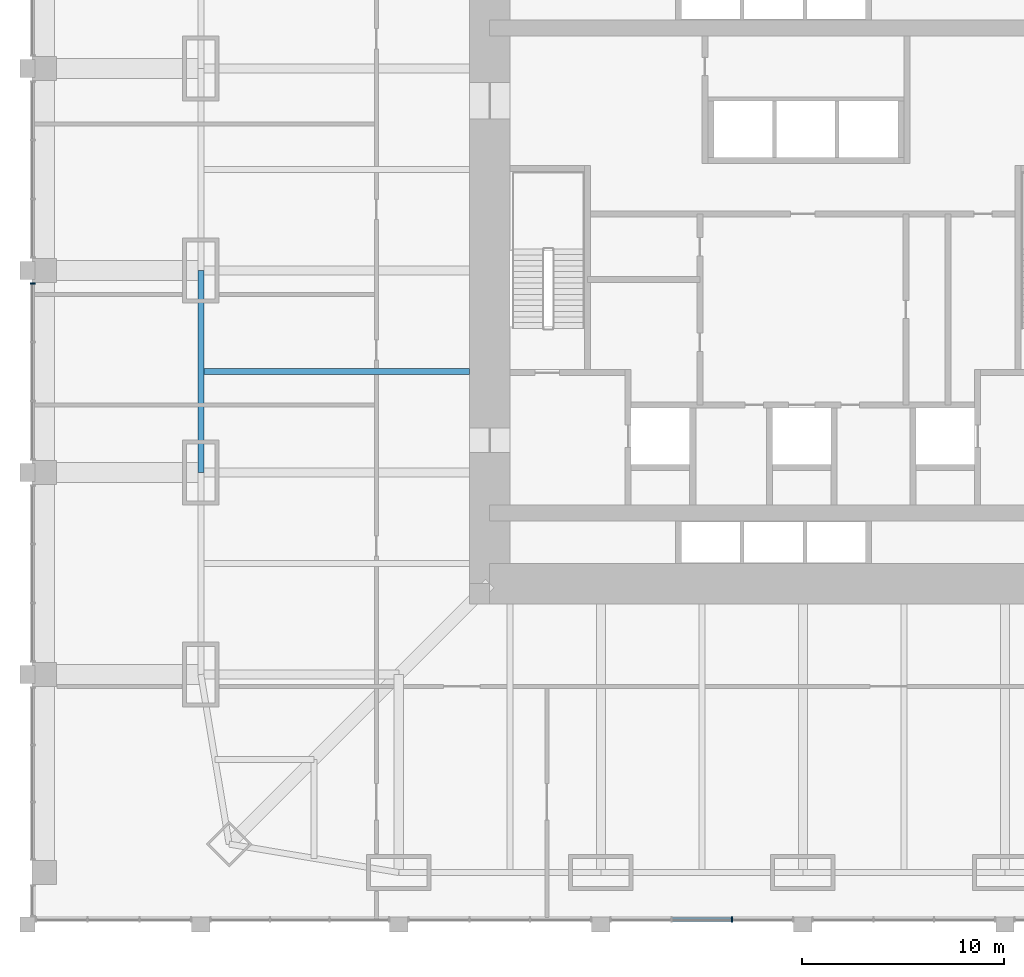
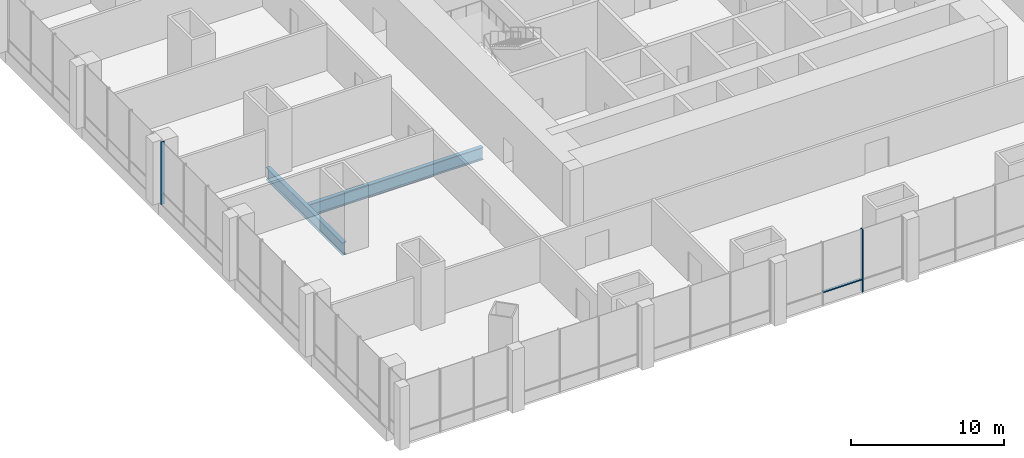
# One storey, part 3 of 24: 3 members, 2 beams, 2 elements without a shape of their own.
"""IFC4 building model written with IfcOpenShell, lengths in metres."""

from ifc_helpers import new_model, si_unit, direction, frame, origin, origin_2d, place, context, subcontext, project, spatial, rectangle, i_section, extrude, material, material_profile, profile_set, type_object, element, aggregate, save


model = new_model("IFC4")

# Units and contexts
model_context = context("Model", 3, precision=1e-05, world=origin(), true_north=direction((0.0, 1.0)))
body_context = subcontext(model_context, "Body", "Model", "MODEL_VIEW")
ifc_project = project(units=[si_unit("LENGTHUNIT", "METRE"), si_unit("AREAUNIT", "SQUARE_METRE"), si_unit("VOLUMEUNIT", "CUBIC_METRE"), si_unit("PLANEANGLEUNIT", "RADIAN"), si_unit("MASSUNIT", "GRAM", prefix="KILO")], contexts=[model_context])

# Site, building, storey
site_placement = place(None, origin())
site = spatial("IfcSite", under=ifc_project, at=site_placement, CompositionType="ELEMENT")
building_placement = place(site_placement, origin())
building = spatial("IfcBuilding", under=site, at=building_placement, Name="Khuree Lantern Residences", CompositionType="ELEMENT")
storey_placement = place(building_placement, frame((0.0, 0.0, 11.0)))
storey = spatial("IfcBuildingStorey", under=building, at=storey_placement, Name="L02", CompositionType="ELEMENT", Elevation=11.0)

# Beams
ifc_material_1 = material(Name="Steel S355", Category="steel")
ifc_material_profile_1 = material_profile(ifc_material_1, i_section(OverallWidth=0.300048828125, OverallDepth=1.0, WebThickness=0.01904296875, FlangeThickness=0.035888671875, FilletRadius=0.030029296875, at=origin_2d()), Name="HE 1000 B")
ifc_profile_set_1 = profile_set([ifc_material_profile_1], Name="Steel S355")
beam_type_1 = type_object("IfcBeamType", Name="B-02 SECONDARY BEAM HE 1000 B", PredefinedType="BEAM", material=ifc_profile_set_1)
beam_1_placement = place(storey_placement, frame((-29.800048828125, -5.0, -0.800048828125), z_axis=(1.0, 0.0, 0.0), x_axis=(0.0, 1.0, 0.0)))
element("IfcBeam", 1, at=beam_1_placement, inside=storey, type_object=beam_type_1, Name="Secondary beam W3", PredefinedType="BEAM", context=body_context, shape_type="SweptSolid", body=[
    extrude(i_section(OverallWidth=0.300048828125, OverallDepth=1.0, WebThickness=0.01904296875, FlangeThickness=0.035888671875, FilletRadius=0.030029296875, at=origin_2d()), origin(), (0.0, 0.0, 1.0), 13.300048828125),
])
ifc_material_profile_2 = material_profile(ifc_material_1, i_section(OverallWidth=0.300048828125, OverallDepth=1.0, WebThickness=0.01904296875, FlangeThickness=0.035888671875, FilletRadius=0.030029296875, at=origin_2d()), Name="HE 1000 B")
ifc_profile_set_2 = profile_set([ifc_material_profile_2], Name="Steel S355")
beam_type_2 = type_object("IfcBeamType", Name="E-02 SPANDREL BEAM HE 1000 B", PredefinedType="SPANDREL", material=ifc_profile_set_2)
beam_2_placement = place(storey_placement, frame((-29.800048828125, -10.0, -0.800048828125), z_axis=(0.0, 1.0, 0.0), x_axis=(-1.0, 0.0, 0.0)))
element("IfcBeam", 2, at=beam_2_placement, inside=storey, type_object=beam_type_2, Name="Spandrel beam W3", PredefinedType="SPANDREL", context=body_context, shape_type="SweptSolid", body=[
    extrude(i_section(OverallWidth=0.300048828125, OverallDepth=1.0, WebThickness=0.01904296875, FlangeThickness=0.035888671875, FilletRadius=0.030029296875, at=origin_2d()), origin(), (0.0, 0.0, 1.0), 10.0),
])

# Curtain wall, member
ifc_material_2 = material(Name="Bronze anodised aluminium", Category="aluminium")
curtain_wall_type = type_object("IfcCurtainWallType", Name="CW-P PODIUM STOREFRONT CURTAIN WALL", PredefinedType="USERDEFINED", material=ifc_material_2)
curtain_wall_1_placement = place(storey_placement, origin())
curtain_wall_1 = element("IfcCurtainWall", 3, at=curtain_wall_1_placement, inside=storey, type_object=curtain_wall_type, Name="L02 SOUTH FACE BAY 4 STOREFRONT", ObjectType="Storefront curtain wall", PredefinedType="USERDEFINED")
ifc_material_profile_3 = material_profile(ifc_material_2, rectangle(XDim=0.074951171875, YDim=0.25, at=origin_2d()), Name="M5 75X250")
ifc_profile_set_3 = profile_set([ifc_material_profile_3], Name="Bronze anodised aluminium")
member_type_1 = type_object("IfcMemberType", Name="MULLION M5 STOREFRONT 75X250", PredefinedType="MULLION", material=ifc_profile_set_3)
member_1_placement = place(storey_placement, frame((-3.495849609375, -32.125, 0.0), z_axis=(0.0, 0.0, 1.0), x_axis=(1.0, 0.0, 0.0)))
member_1 = element("IfcMember", 4, at=member_1_placement, type_object=member_type_1, Name="L02 SOUTH FACE BAY 4 MULLION 3", PredefinedType="MULLION", context=body_context, shape_type="SweptSolid", body=[
    extrude(rectangle(XDim=0.074951171875, YDim=0.25, at=origin_2d()), origin(), (0.0, 0.0, 1.0), 5.0),
])

curtain_wall_2_placement = place(storey_placement, origin())
curtain_wall_2 = element("IfcCurtainWall", 5, at=curtain_wall_2_placement, inside=storey, type_object=curtain_wall_type, Name="L02 WEST FACE BAY 6 STOREFRONT", ObjectType="Storefront curtain wall", PredefinedType="USERDEFINED")
member_2_placement = place(storey_placement, frame((-38.125, -0.637451171875, 0.0), z_axis=(0.0, 0.0, 1.0), x_axis=(0.0, -1.0, 0.0)))
member_2 = element("IfcMember", 6, at=member_2_placement, type_object=member_type_1, Name="L02 WEST FACE BAY 6 MULLION 1", PredefinedType="MULLION", context=body_context, shape_type="SweptSolid", body=[
    extrude(rectangle(XDim=0.074951171875, YDim=0.25, at=origin_2d()), origin(), (0.0, 0.0, 1.0), 5.0),
])
aggregate(curtain_wall_2, [member_2])

# Member
ifc_material_profile_4 = material_profile(ifc_material_2, rectangle(XDim=0.199951171875, YDim=0.074951171875, at=origin_2d()), Name="T5 200X75")
ifc_profile_set_4 = profile_set([ifc_material_profile_4], Name="Bronze anodised aluminium")
member_type_2 = type_object("IfcMemberType", Name="TRANSOM T5 STOREFRONT 200X75", PredefinedType="USERDEFINED", material=ifc_profile_set_4)
member_3_placement = place(storey_placement, frame((-6.466552734375, -32.1201171875, 1.0), z_axis=(1.0, 0.0, 0.0), x_axis=(0.0, 1.0, 0.0)))
member_3 = element("IfcMember", 7, at=member_3_placement, type_object=member_type_2, Name="L02 SOUTH FACE BAY 4 TRANSOM 2", ObjectType="Transom", PredefinedType="USERDEFINED", context=body_context, shape_type="SweptSolid", body=[
    extrude(rectangle(XDim=0.199951171875, YDim=0.074951171875, at=origin_2d()), origin(), (0.0, 0.0, 1.0), 2.93310546875),
])

aggregate(curtain_wall_1, [member_1, member_3])

save(model, "model.ifc")
